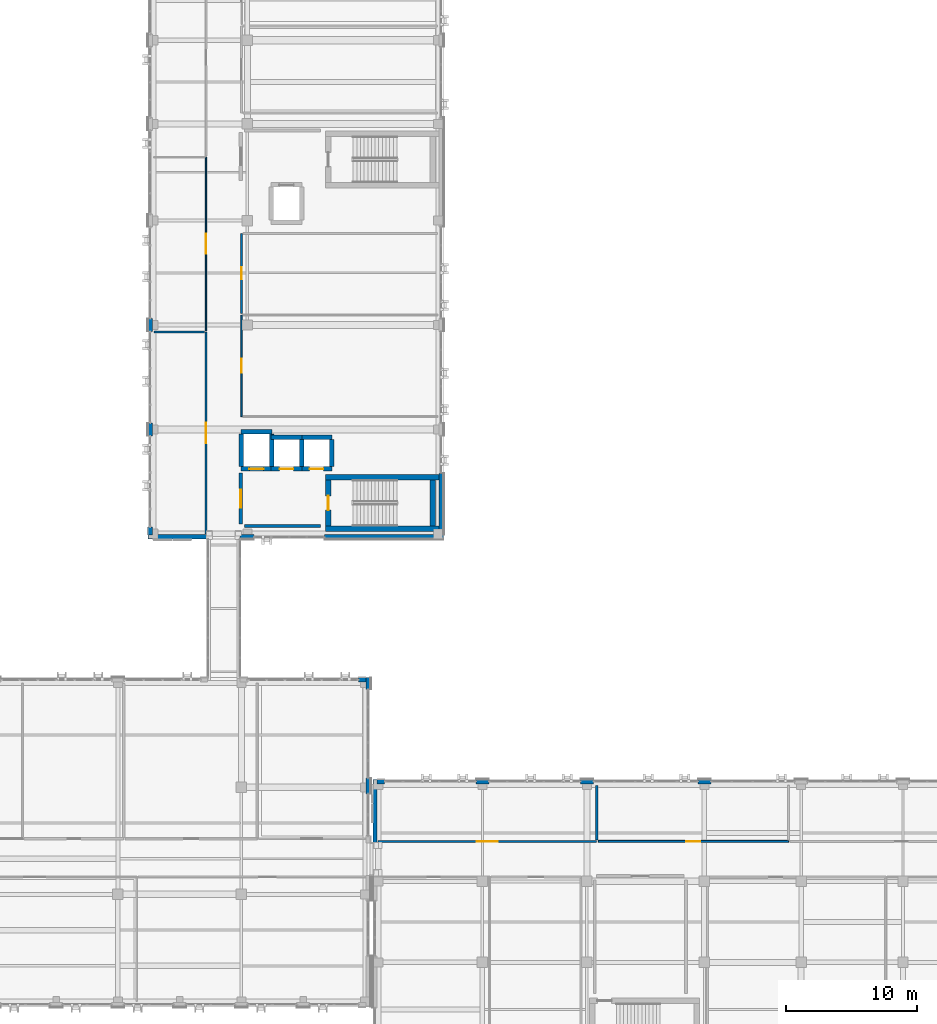
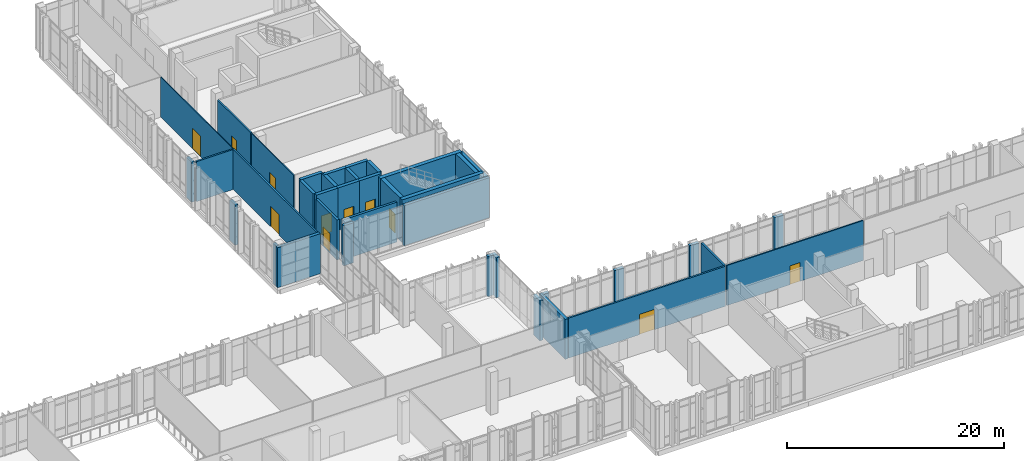
# One storey, part 154 of 189: 39 walls, 11 doors, 11 openings.
"""IFC4 building model written with IfcOpenShell, lengths in metres."""

from ifc_helpers import new_model, si_unit, direction, frame, frame_2d, origin, place, context, subcontext, project, spatial, rectangle, extrude, material, layer, layer_set, type_object, element, fill, save


model = new_model("IFC4")

# Units and contexts
model_context = context("Model", 3, precision=1e-05, world=origin(), true_north=direction((0.0, 1.0)))
body_context = subcontext(model_context, "Body", "Model", "MODEL_VIEW")
ifc_project = project(units=[si_unit("LENGTHUNIT", "METRE"), si_unit("AREAUNIT", "SQUARE_METRE"), si_unit("VOLUMEUNIT", "CUBIC_METRE"), si_unit("PLANEANGLEUNIT", "RADIAN"), si_unit("MASSUNIT", "GRAM", prefix="KILO")], contexts=[model_context])

# Site, building, storey
site_placement = place(None, origin())
site = spatial("IfcSite", under=ifc_project, at=site_placement, CompositionType="ELEMENT")
building_placement = place(site_placement, origin())
building = spatial("IfcBuilding", under=site, at=building_placement, Name="Qalavern Law Courts", CompositionType="ELEMENT")
storey_placement = place(building_placement, frame((0.0, 0.0, 5.39990234375)))
storey = spatial("IfcBuildingStorey", under=building, at=storey_placement, Name="L01", CompositionType="ELEMENT", Elevation=5.39990234375)

# Walls
ifc_material_1 = material(Name="Concrete C40/50", Category="concrete")
ifc_layer_1 = layer(ifc_material_1, 0.324951171875)
ifc_layer_set_1 = layer_set([ifc_layer_1], Name="Concrete C40/50")
wall_type_1 = type_object("IfcWallType", Name="ENV-EW-325", PredefinedType="SOLIDWALL", material=ifc_layer_set_1)
wall_1_placement = place(storey_placement, frame((101.03759765625, 21.5, 0.0), z_axis=(0.0, 0.0, 1.0), x_axis=(0.0, 1.0, 0.0)))
element("IfcWall", 1, at=wall_1_placement, inside=storey, type_object=wall_type_1, Name="V2 exterior pier wall L01 east 2", PredefinedType="SOLIDWALL", context=body_context, shape_type="SweptSolid", body=[
    extrude(rectangle(XDim=1.199951171875, YDim=0.324951171875, at=frame_2d((0.60009765625, 0.0))), origin(), (0.0, 0.0, 1.0), 4.510009765625),
])
wall_2_placement = place(storey_placement, frame((101.03759765625, 29.5, 0.0), z_axis=(0.0, 0.0, 1.0), x_axis=(0.0, 1.0, 0.0)))
element("IfcWall", 2, at=wall_2_placement, inside=storey, type_object=wall_type_1, Name="V2 exterior pier wall L01 east 3", PredefinedType="SOLIDWALL", context=body_context, shape_type="SweptSolid", body=[
    extrude(rectangle(XDim=0.89990234375, YDim=0.324951171875, at=frame_2d((0.449951171875, 0.0))), origin(), (0.0, 0.0, 1.0), 4.510009765625),
])
wall_3_placement = place(storey_placement, frame((100.8798828125, 30.237548828125, 0.0), z_axis=(0.0, 0.0, 1.0), x_axis=(-1.0, 0.0, 0.0)))
element("IfcWall", 3, at=wall_3_placement, inside=storey, type_object=wall_type_1, Name="V2 exterior pier wall L01 north 1", PredefinedType="SOLIDWALL", context=body_context, shape_type="SweptSolid", body=[
    extrude(rectangle(XDim=0.579833984375, YDim=0.324951171875, at=frame_2d((0.2900390625, 0.0))), origin(), (0.0, 0.0, 1.0), 4.510009765625),
])
wall_4_placement = place(storey_placement, frame((84.199951171875, 41.1826171875, 0.0), z_axis=(0.0, 0.0, 1.0), x_axis=(1.0, 0.0, 0.0)))
element("IfcWall", 4, at=wall_4_placement, inside=storey, type_object=wall_type_1, Name="V4 exterior wall L01 south 1", PredefinedType="SOLIDWALL", context=body_context, shape_type="SweptSolid", body=[
    extrude(rectangle(XDim=4.550048828125, YDim=0.324951171875, at=frame_2d((2.27490234375, 0.0))), origin(), (0.0, 0.0, 1.0), 4.510009765625),
])
wall_5_placement = place(storey_placement, frame((91.25, 41.1826171875, 0.0), z_axis=(0.0, 0.0, 1.0), x_axis=(1.0, 0.0, 0.0)))
element("IfcWall", 5, at=wall_5_placement, inside=storey, type_object=wall_type_1, Name="V4 exterior pier wall L01 south 1", PredefinedType="SOLIDWALL", context=body_context, shape_type="SweptSolid", body=[
    extrude(rectangle(XDim=1.050048828125, YDim=0.324951171875, at=frame_2d((0.52490234375, 0.0))), origin(), (0.0, 0.0, 1.0), 4.510009765625),
])
wall_6_placement = place(storey_placement, frame((97.699951171875, 41.1826171875, 0.0), z_axis=(0.0, 0.0, 1.0), x_axis=(1.0, 0.0, 0.0)))
element("IfcWall", 6, at=wall_6_placement, inside=storey, type_object=wall_type_1, Name="V4 exterior pier wall L01 south 2", PredefinedType="SOLIDWALL", context=body_context, shape_type="SweptSolid", body=[
    extrude(rectangle(XDim=9.10009765625, YDim=0.324951171875, at=frame_2d((4.550048828125, 0.0))), origin(), (0.0, 0.0, 1.0), 4.510009765625),
])
wall_7_placement = place(storey_placement, frame((106.637451171875, 41.340087890625, 0.0), z_axis=(0.0, 0.0, 1.0), x_axis=(0.0, 1.0, 0.0)))
element("IfcWall", 7, at=wall_7_placement, inside=storey, type_object=wall_type_1, Name="V4 exterior pier wall L01 east 1", PredefinedType="SOLIDWALL", context=body_context, shape_type="SweptSolid", body=[
    extrude(rectangle(XDim=4.7099609375, YDim=0.324951171875, at=frame_2d((2.35498046875, 0.0))), origin(), (0.0, 0.0, 1.0), 4.510009765625),
])
for number, where, z_axis, x_axis, name in (
    (8, (84.362548828125, 57.89990234375, 0.0), (0.0, 0.0, 1.0), (0.0, -1.0, 0.0), "V4 exterior pier wall L01 west 5"),
    (9, (84.362548828125, 49.89990234375, 0.0), (0.0, 0.0, 1.0), (0.0, -1.0, 0.0), "V4 exterior pier wall L01 west 6"),
):
    element("IfcWall", number, at=place(storey_placement, frame(where, z_axis=z_axis, x_axis=x_axis)), inside=storey, type_object=wall_type_1, Name=name, PredefinedType="SOLIDWALL", context=body_context, shape_type="SweptSolid", body=[
        extrude(rectangle(XDim=1.0, YDim=0.324951171875, at=frame_2d((0.5, 0.0))), origin(), (0.0, 0.0, 1.0), 4.510009765625),
    ])
wall_8_placement = place(storey_placement, frame((84.362548828125, 41.919921875, 0.0), z_axis=(0.0, 0.0, 1.0), x_axis=(0.0, -1.0, 0.0)))
element("IfcWall", 10, at=wall_8_placement, inside=storey, type_object=wall_type_1, Name="V4 exterior pier wall L01 west 7", PredefinedType="SOLIDWALL", context=body_context, shape_type="SweptSolid", body=[
    extrude(rectangle(XDim=0.579833984375, YDim=0.324951171875, at=frame_2d((0.2900390625, 0.0))), origin(), (0.0, 0.0, 1.0), 4.510009765625),
])
for number, where, z_axis, x_axis, name in (
    (11, (127.300048828125, 22.4375, 0.0), (0.0, 0.0, 1.0), (-1.0, 0.0, 0.0), "V6 exterior pier wall L01 north 6"),
    (12, (118.300048828125, 22.4375, 0.0), (0.0, 0.0, 1.0), (-1.0, 0.0, 0.0), "V6 exterior pier wall L01 north 7"),
    (13, (110.300048828125, 22.4375, 0.0), (0.0, 0.0, 1.0), (-1.0, 0.0, 0.0), "V6 exterior pier wall L01 north 8"),
):
    element("IfcWall", number, at=place(storey_placement, frame(where, z_axis=z_axis, x_axis=x_axis)), inside=storey, type_object=wall_type_1, Name=name, PredefinedType="SOLIDWALL", context=body_context, shape_type="SweptSolid", body=[
        extrude(rectangle(XDim=1.0, YDim=0.324951171875, at=frame_2d((0.5, 0.0))), origin(), (0.0, 0.0, 1.0), 4.510009765625),
    ])
wall_9_placement = place(storey_placement, frame((102.320068359375, 22.4375, 0.0), z_axis=(0.0, 0.0, 1.0), x_axis=(-1.0, 0.0, 0.0)))
element("IfcWall", 14, at=wall_9_placement, inside=storey, type_object=wall_type_1, Name="V6 exterior pier wall L01 north 9", PredefinedType="SOLIDWALL", context=body_context, shape_type="SweptSolid", body=[
    extrude(rectangle(XDim=0.580078125, YDim=0.324951171875, at=frame_2d((0.2900390625, 0.0))), origin(), (0.0, 0.0, 1.0), 4.510009765625),
])
wall_10_placement = place(storey_placement, frame((101.58251953125, 22.60009765625, 0.0), z_axis=(0.0, 0.0, 1.0), x_axis=(0.0, -1.0, 0.0)))
element("IfcWall", 15, at=wall_10_placement, inside=storey, type_object=wall_type_1, Name="V6 exterior wall L01 west 1", PredefinedType="SOLIDWALL", context=body_context, shape_type="SweptSolid", body=[
    extrude(rectangle(XDim=4.85009765625, YDim=0.324951171875, at=frame_2d((2.425048828125, 0.0))), origin(), (0.0, 0.0, 1.0), 4.510009765625),
])
ifc_material_2 = material(Name="Concrete C45/55", Category="concrete")
ifc_layer_2 = layer(ifc_material_2, 0.4150390625)
ifc_layer_set_2 = layer_set([ifc_layer_2], Name="Concrete C45/55")
wall_type_2 = type_object("IfcWallType", Name="INT-CW-415", PredefinedType="SHEAR", material=ifc_layer_set_2)
wall_11_placement = place(storey_placement, frame((97.784912109375, 41.79248046875, 0.0), z_axis=(0.0, 0.0, 1.0), x_axis=(1.0, 0.0, 0.0)))
element("IfcWall", 16, at=wall_11_placement, inside=storey, type_object=wall_type_2, Name="Core K1A stair shear wall L01 south", PredefinedType="SHEAR", context=body_context, shape_type="SweptSolid", body=[
    extrude(rectangle(XDim=8.68701171875, YDim=0.4150390625, at=frame_2d((4.343505859375, 0.0))), origin(), (0.0, 0.0, 1.0), 4.800048828125),
])
wall_12_placement = place(storey_placement, frame((106.007568359375, 42.0, 0.0), z_axis=(0.0, 0.0, 1.0), x_axis=(0.0, 1.0, 0.0)))
element("IfcWall", 17, at=wall_12_placement, inside=storey, type_object=wall_type_2, Name="Core K1A stair shear wall L01 east", PredefinedType="SHEAR", context=body_context, shape_type="SweptSolid", body=[
    extrude(rectangle(XDim=3.550048828125, YDim=0.4150390625, at=frame_2d((1.77490234375, 0.0))), origin(), (0.0, 0.0, 1.0), 4.800048828125),
])
wall_13_placement = place(storey_placement, frame((106.471923828125, 45.757568359375, 0.0), z_axis=(0.0, 0.0, 1.0), x_axis=(-1.0, 0.0, 0.0)))
element("IfcWall", 18, at=wall_13_placement, inside=storey, type_object=wall_type_2, Name="Core K1A stair shear wall L01 north", PredefinedType="SHEAR", context=body_context, shape_type="SweptSolid", body=[
    extrude(rectangle(XDim=8.68701171875, YDim=0.4150390625, at=frame_2d((4.343505859375, 0.0))), origin(), (0.0, 0.0, 1.0), 4.800048828125),
])

# Wall, opening, door
wall_14_placement = place(storey_placement, frame((97.992431640625, 45.550048828125, 0.0), z_axis=(0.0, 0.0, 1.0), x_axis=(0.0, -1.0, 0.0)))
wall_14 = element("IfcWall", 19, at=wall_14_placement, inside=storey, type_object=wall_type_2, Name="Core K1A stair shear wall L01 west", PredefinedType="SHEAR", context=body_context, shape_type="SweptSolid", body=[
    extrude(rectangle(XDim=3.550048828125, YDim=0.4150390625, at=frame_2d((1.77490234375, 0.0))), origin(), (0.0, 0.0, 1.0), 4.800048828125),
])
opening_1_placement = place(wall_14_placement, frame((1.22509765625, 0.0, 0.0)))
opening_1 = element("IfcOpeningElement", 20, at=opening_1_placement, cuts=wall_14, Name="Opening L01-D007", PredefinedType="OPENING", context=body_context, shape_type="SweptSolid", body=[
    extrude(rectangle(XDim=1.10009765625, YDim=2.14990234375, at=frame_2d((0.550048828125, 1.074951171875))), frame((0.0, 0.222412109375, 0.0), z_axis=(0.0, -1.0, 0.0), x_axis=(1.0, 0.0, 0.0)), (0.0, 0.0, 1.0), 0.44482421875),
])
ifc_material_3 = material(Name="Steel fire-rated stair enclosure door", Category="steel")
door_type_1 = type_object("IfcDoorType", Name="INT-FD-1100x2150", OperationType="NOTDEFINED", PredefinedType="DOOR", material=ifc_material_3)
door_1_placement = place(opening_1_placement, frame((1.10009765625, 0.0, 0.0), z_axis=(0.0, 0.0, 1.0), x_axis=(-1.0, 0.0, 0.0)))
door_1 = element("IfcDoor", 21, at=door_1_placement, inside=storey, type_object=door_type_1, Name="Stair K1A fire door L01", OperationType="SINGLE_SWING_RIGHT", OverallHeight=2.14990234375, OverallWidth=1.10009765625, PredefinedType="DOOR", context=body_context, shape_type="SweptSolid", body=[
    extrude(rectangle(XDim=1.10009765625, YDim=2.14990234375, at=frame_2d((0.550048828125, 1.074951171875))), frame((0.0, 0.02490234375, 0.0), z_axis=(0.0, -1.0, 0.0), x_axis=(1.0, 0.0, 0.0)), (0.0, 0.0, 1.0), 0.050048828125),
])
fill(opening_1, door_1)

ifc_layer_3 = layer(ifc_material_1, 0.2451171875)
ifc_layer_set_3 = layer_set([ifc_layer_3], Name="Concrete C40/50")
wall_type_3 = type_object("IfcWallType", Name="INT-FW-245", PredefinedType="PARTITIONING", material=ifc_layer_set_3)
wall_15_placement = place(storey_placement, frame((91.300048828125, 42.14990234375, 0.0), z_axis=(0.0, 0.0, 1.0), x_axis=(0.0, 1.0, 0.0)))
wall_15 = element("IfcWall", 22, at=wall_15_placement, inside=storey, type_object=wall_type_3, Name="Core K1A firefighting/stair lobby fire wall L01", PredefinedType="PARTITIONING", context=body_context, shape_type="SweptSolid", body=[
    extrude(rectangle(XDim=3.900146484375, YDim=0.2451171875, at=frame_2d((1.9501953125, 0.0))), origin(), (0.0, 0.0, 1.0), 4.510009765625),
])
opening_2_placement = place(wall_15_placement, frame((1.27490234375, 0.0, 0.0)))
opening_2 = element("IfcOpeningElement", 23, at=opening_2_placement, cuts=wall_15, Name="Opening L01-D008", PredefinedType="OPENING", context=body_context, shape_type="SweptSolid", body=[
    extrude(rectangle(XDim=1.35009765625, YDim=2.199951171875, at=frame_2d((0.675048828125, 1.10009765625))), frame((0.0, 0.137451171875, 0.0), z_axis=(0.0, -1.0, 0.0), x_axis=(1.0, 0.0, 0.0)), (0.0, 0.0, 1.0), 0.27490234375),
])
ifc_material_4 = material(Name="Steel fire-rated frame and acoustic timber leaves", Category="steel")
door_type_2 = type_object("IfcDoorType", Name="INT-FD-1350x2200", OperationType="DOUBLE_DOOR_SINGLE_SWING", PredefinedType="DOOR", material=ifc_material_4)
door_2_placement = place(opening_2_placement, origin())
door_2 = element("IfcDoor", 24, at=door_2_placement, inside=storey, type_object=door_type_2, Name="Core K1A lobby fire door L01", OperationType="DOUBLE_DOOR_SINGLE_SWING", OverallHeight=2.199951171875, OverallWidth=1.35009765625, PredefinedType="DOOR", context=body_context, shape_type="SweptSolid", body=[
    extrude(rectangle(XDim=1.35009765625, YDim=2.199951171875, at=frame_2d((0.675048828125, 1.10009765625))), frame((0.0, 0.02490234375, 0.0), z_axis=(0.0, -1.0, 0.0), x_axis=(1.0, 0.0, 0.0)), (0.0, 0.0, 1.0), 0.050048828125),
])
fill(opening_2, door_2)

# Wall
wall_16_placement = place(storey_placement, frame((91.60009765625, 42.0, 0.0), z_axis=(0.0, 0.0, 1.0), x_axis=(1.0, 0.0, 0.0)))
element("IfcWall", 25, at=wall_16_placement, inside=storey, type_object=wall_type_3, Name="Core K1A lobby return wall L01 south", PredefinedType="PARTITIONING", context=body_context, shape_type="SweptSolid", body=[
    extrude(rectangle(XDim=5.7998046875, YDim=0.2451171875, at=frame_2d((2.89990234375, 0.0))), origin(), (0.0, 0.0, 1.0), 4.510009765625),
])

# Wall, opening, door
ifc_material_5 = material(Name="Gypsum shaft/chase partition")
ifc_layer_4 = layer(ifc_material_5, 0.092041015625)
ifc_layer_set_4 = layer_set([ifc_layer_4], Name="Gypsum shaft/chase partition")
wall_type_4 = type_object("IfcWallType", Name="INT-PW-092", PredefinedType="PARTITIONING", material=ifc_layer_set_4)
wall_17_placement = place(storey_placement, frame((88.639892578125, 56.97802734375, 0.0), z_axis=(0.0, 0.0, 1.0), x_axis=(0.0, 1.0, 0.0)))
wall_17 = element("IfcWall", 26, at=wall_17_placement, inside=storey, type_object=wall_type_4, Name="Commercial Courtroom corridor partition L01", PredefinedType="PARTITIONING", context=body_context, shape_type="SweptSolid", body=[
    extrude(rectangle(XDim=13.27587890625, YDim=0.092041015625, at=frame_2d((6.637939453125, 0.0))), origin(), (0.0, 0.0, 1.0), 4.510009765625),
])
opening_3_placement = place(wall_17_placement, frame((5.863037109375, 0.0, 0.0)))
opening_3 = element("IfcOpeningElement", 27, at=opening_3_placement, cuts=wall_17, Name="Opening L01-D263", PredefinedType="OPENING", context=body_context, shape_type="SweptSolid", body=[
    extrude(rectangle(XDim=1.550048828125, YDim=2.280029296875, at=frame_2d((0.77490234375, 1.14013671875))), frame((0.0, 0.06103515625, 0.0), z_axis=(0.0, -1.0, 0.0), x_axis=(1.0, 0.0, 0.0)), (0.0, 0.0, 1.0), 0.121826171875),
])
ifc_material_6 = material(Name="Acoustic oak double Civil Courtroom door")
door_type_3 = type_object("IfcDoorType", Name="INT-ID-1550x2280", OperationType="DOUBLE_DOOR_SINGLE_SWING", PredefinedType="DOOR", material=ifc_material_6)
door_3_placement = place(opening_3_placement, frame((1.550048828125, 0.0, 0.0), z_axis=(0.0, 0.0, 1.0), x_axis=(-1.0, 0.0, 0.0)))
door_3 = element("IfcDoor", 28, at=door_3_placement, inside=storey, type_object=door_type_3, Name="Commercial Courtroom door L01", OperationType="DOUBLE_DOOR_SINGLE_SWING", OverallHeight=2.280029296875, OverallWidth=1.550048828125, PredefinedType="DOOR", context=body_context, shape_type="SweptSolid", body=[
    extrude(rectangle(XDim=1.550048828125, YDim=2.280029296875, at=frame_2d((0.77490234375, 1.14013671875))), frame((0.0, 0.02490234375, 0.0), z_axis=(0.0, -1.0, 0.0), x_axis=(1.0, 0.0, 0.0)), (0.0, 0.0, 1.0), 0.050048828125),
])
fill(opening_3, door_3)

ifc_material_7 = material(Name="Gypsum sanitary partition")
ifc_layer_5 = layer(ifc_material_7, 0.10205078125)
ifc_layer_set_5 = layer_set([ifc_layer_5], Name="Gypsum sanitary partition")
wall_type_5 = type_object("IfcWallType", Name="INT-PW-102", PredefinedType="PARTITIONING", material=ifc_layer_set_5)
wall_18_placement = place(storey_placement, frame((91.360107421875, 50.389892578125, 0.0), z_axis=(0.0, 0.0, 1.0), x_axis=(0.0, 1.0, 0.0)))
wall_18 = element("IfcWall", 29, at=wall_18_placement, inside=storey, type_object=wall_type_5, Name="Counsel Consultation Room corridor partition L01", PredefinedType="PARTITIONING", context=body_context, shape_type="SweptSolid", body=[
    extrude(rectangle(XDim=7.775146484375, YDim=0.10205078125, at=frame_2d((3.8876953125, 0.0))), origin(), (0.0, 0.0, 1.0), 4.510009765625),
])
opening_4_placement = place(wall_18_placement, frame((3.342529296875, 0.0, 0.0)))
opening_4 = element("IfcOpeningElement", 30, at=opening_4_placement, cuts=wall_18, Name="Opening L01-D265", PredefinedType="OPENING", context=body_context, shape_type="SweptSolid", body=[
    extrude(rectangle(XDim=1.090087890625, YDim=2.1298828125, at=frame_2d((0.544921875, 1.06494140625))), frame((0.0, 0.06591796875, 0.0), z_axis=(0.0, -1.0, 0.0), x_axis=(1.0, 0.0, 0.0)), (0.0, 0.0, 1.0), 0.1318359375),
])
ifc_material_8 = material(Name="Solid oak Senior Judges' Chambers door")
door_type_4 = type_object("IfcDoorType", Name="INT-ID-1090x2130", OperationType="NOTDEFINED", PredefinedType="DOOR", material=ifc_material_8)
door_4_placement = place(opening_4_placement, origin())
door_4 = element("IfcDoor", 31, at=door_4_placement, inside=storey, type_object=door_type_4, Name="Counsel Consultation Room door L01", OperationType="SINGLE_SWING_RIGHT", OverallHeight=2.1298828125, OverallWidth=1.090087890625, PredefinedType="DOOR", context=body_context, shape_type="SweptSolid", body=[
    extrude(rectangle(XDim=1.090087890625, YDim=2.1298828125, at=frame_2d((0.544921875, 1.06494140625))), frame((0.0, 0.02490234375, 0.0), z_axis=(0.0, -1.0, 0.0), x_axis=(1.0, 0.0, 0.0)), (0.0, 0.0, 1.0), 0.050048828125),
])
fill(opening_4, door_4)

ifc_material_9 = material(Name="Gypsum stud partition")
ifc_layer_6 = layer(ifc_material_9, 0.14208984375)
ifc_layer_set_6 = layer_set([ifc_layer_6], Name="Gypsum stud partition")
wall_type_6 = type_object("IfcWallType", Name="INT-PW-142", PredefinedType="PARTITIONING", material=ifc_layer_set_6)
wall_19_placement = place(storey_placement, frame((118.669921875, 17.860107421875, 0.0), z_axis=(0.0, 0.0, 1.0), x_axis=(1.0, 0.0, 0.0)))
wall_19 = element("IfcWall", 32, at=wall_19_placement, inside=storey, type_object=wall_type_6, Name="Witness Waiting Room corridor partition L01", PredefinedType="PARTITIONING", context=body_context, shape_type="SweptSolid", body=[
    extrude(rectangle(XDim=14.568115234375, YDim=0.14208984375, at=frame_2d((7.2841796875, 0.0))), origin(), (0.0, 0.0, 1.0), 4.510009765625),
])
opening_5_placement = place(wall_19_placement, frame((6.75390625, 0.0, 0.0)))
opening_5 = element("IfcOpeningElement", 33, at=opening_5_placement, cuts=wall_19, Name="Opening L01-D428", PredefinedType="OPENING", context=body_context, shape_type="SweptSolid", body=[
    extrude(rectangle(XDim=1.06005859375, YDim=2.1201171875, at=frame_2d((0.530029296875, 1.06005859375))), frame((0.0, 0.0859375, 0.0), z_axis=(0.0, -1.0, 0.0), x_axis=(1.0, 0.0, 0.0)), (0.0, 0.0, 1.0), 0.171875),
])
ifc_material_10 = material(Name="Solid oak Trial Judges' Chambers door")
door_type_5 = type_object("IfcDoorType", Name="INT-ID-1060x2120", OperationType="NOTDEFINED", PredefinedType="DOOR", material=ifc_material_10)
door_5_placement = place(opening_5_placement, origin())
door_5 = element("IfcDoor", 34, at=door_5_placement, inside=storey, type_object=door_type_5, Name="Witness Waiting Room door L01", OperationType="SINGLE_SWING_LEFT", OverallHeight=2.1201171875, OverallWidth=1.06005859375, PredefinedType="DOOR", context=body_context, shape_type="SweptSolid", body=[
    extrude(rectangle(XDim=1.06005859375, YDim=2.1201171875, at=frame_2d((0.530029296875, 1.06005859375))), frame((0.0, 0.02490234375, 0.0), z_axis=(0.0, -1.0, 0.0), x_axis=(1.0, 0.0, 0.0)), (0.0, 0.0, 1.0), 0.050048828125),
])
fill(opening_5, door_5)

ifc_layer_7 = layer(ifc_material_9, 0.162109375)
ifc_layer_set_7 = layer_set([ifc_layer_7], Name="Gypsum stud partition")
wall_type_7 = type_object("IfcWallType", Name="INT-PW-162", PredefinedType="PARTITIONING", material=ifc_layer_set_7)
wall_20_placement = place(storey_placement, frame((91.360107421875, 58.284912109375, 0.0), z_axis=(0.0, 0.0, 1.0), x_axis=(0.0, 1.0, 0.0)))
wall_20 = element("IfcWall", 35, at=wall_20_placement, inside=storey, type_object=wall_type_7, Name="Public WC corridor partition L01", PredefinedType="PARTITIONING", context=body_context, shape_type="SweptSolid", body=[
    extrude(rectangle(XDim=6.125, YDim=0.162109375, at=frame_2d((3.0625, 0.0))), origin(), (0.0, 0.0, 1.0), 4.510009765625),
])
opening_6_placement = place(wall_20_placement, frame((2.6025390625, 0.0, 0.0)))
opening_6 = element("IfcOpeningElement", 36, at=opening_6_placement, cuts=wall_20, Name="Opening L01-D266", PredefinedType="OPENING", context=body_context, shape_type="SweptSolid", body=[
    extrude(rectangle(XDim=0.919921875, YDim=2.06005859375, at=frame_2d((0.4599609375, 1.030029296875))), frame((0.0, 0.095947265625, 0.0), z_axis=(0.0, -1.0, 0.0), x_axis=(1.0, 0.0, 0.0)), (0.0, 0.0, 1.0), 0.19189453125),
])
ifc_material_11 = material(Name="Public and Staff WC door")
door_type_6 = type_object("IfcDoorType", Name="INT-ID-920x2060", OperationType="NOTDEFINED", PredefinedType="DOOR", material=ifc_material_11)
door_6_placement = place(opening_6_placement, origin())
door_6 = element("IfcDoor", 37, at=door_6_placement, inside=storey, type_object=door_type_6, Name="Public WC door L01", OperationType="SINGLE_SWING_LEFT", OverallHeight=2.06005859375, OverallWidth=0.919921875, PredefinedType="DOOR", context=body_context, shape_type="SweptSolid", body=[
    extrude(rectangle(XDim=0.919921875, YDim=2.06005859375, at=frame_2d((0.4599609375, 1.030029296875))), frame((0.0, 0.02490234375, 0.0), z_axis=(0.0, -1.0, 0.0), x_axis=(1.0, 0.0, 0.0)), (0.0, 0.0, 1.0), 0.050048828125),
])
fill(opening_6, door_6)

ifc_material_12 = material(Name="Gypsum acoustic stud partition")
ifc_layer_8 = layer(ifc_material_12, 0.174072265625)
ifc_layer_set_8 = layer_set([ifc_layer_8], Name="Gypsum acoustic stud partition")
wall_type_8 = type_object("IfcWallType", Name="INT-PW-174", PredefinedType="PARTITIONING", material=ifc_layer_set_8)
wall_21_placement = place(storey_placement, frame((88.639892578125, 41.39990234375, 0.0), z_axis=(0.0, 0.0, 1.0), x_axis=(0.0, 1.0, 0.0)))
wall_21 = element("IfcWall", 38, at=wall_21_placement, inside=storey, type_object=wall_type_8, Name="Civil Courtroom corridor partition L01", PredefinedType="PARTITIONING", context=body_context, shape_type="SweptSolid", body=[
    extrude(rectangle(XDim=15.4580078125, YDim=0.174072265625, at=frame_2d((7.72900390625, 0.0))), origin(), (0.0, 0.0, 1.0), 4.510009765625),
])
opening_7_placement = place(wall_21_placement, frame((6.928955078125, 0.0, 0.0)))
opening_7 = element("IfcOpeningElement", 39, at=opening_7_placement, cuts=wall_21, Name="Opening L01-D262", PredefinedType="OPENING", context=body_context, shape_type="SweptSolid", body=[
    extrude(rectangle(XDim=1.60009765625, YDim=2.300048828125, at=frame_2d((0.800048828125, 1.14990234375))), frame((0.0, 0.10205078125, 0.0), z_axis=(0.0, -1.0, 0.0), x_axis=(1.0, 0.0, 0.0)), (0.0, 0.0, 1.0), 0.203857421875),
])
ifc_material_13 = material(Name="Acoustic oak double Criminal Courtroom door")
door_type_7 = type_object("IfcDoorType", Name="INT-ID-1600x2300", OperationType="DOUBLE_DOOR_SINGLE_SWING", PredefinedType="DOOR", material=ifc_material_13)
door_7_placement = place(opening_7_placement, frame((1.60009765625, 0.0, 0.0), z_axis=(0.0, 0.0, 1.0), x_axis=(-1.0, 0.0, 0.0)))
door_7 = element("IfcDoor", 40, at=door_7_placement, inside=storey, type_object=door_type_7, Name="Civil Courtroom door L01", OperationType="DOUBLE_DOOR_SINGLE_SWING", OverallHeight=2.300048828125, OverallWidth=1.60009765625, PredefinedType="DOOR", context=body_context, shape_type="SweptSolid", body=[
    extrude(rectangle(XDim=1.60009765625, YDim=2.300048828125, at=frame_2d((0.800048828125, 1.14990234375))), frame((0.0, 0.02490234375, 0.0), z_axis=(0.0, -1.0, 0.0), x_axis=(1.0, 0.0, 0.0)), (0.0, 0.0, 1.0), 0.050048828125),
])
fill(opening_7, door_7)

# Wall
wall_22_placement = place(storey_placement, frame((84.639892578125, 56.85791015625, 0.0), z_axis=(0.0, 0.0, 1.0), x_axis=(1.0, 0.0, 0.0)))
element("IfcWall", 41, at=wall_22_placement, inside=storey, type_object=wall_type_8, Name="Civil Courtroom cross partition L01 north", PredefinedType="PARTITIONING", context=body_context, shape_type="SweptSolid", body=[
    extrude(rectangle(XDim=3.89306640625, YDim=0.174072265625, at=frame_2d((1.946533203125, 0.0))), origin(), (0.0, 0.0, 1.0), 4.510009765625),
])

# Wall, opening, door
wall_23_placement = place(storey_placement, frame((101.800048828125, 17.860107421875, 0.0), z_axis=(0.0, 0.0, 1.0), x_axis=(1.0, 0.0, 0.0)))
wall_23 = element("IfcWall", 42, at=wall_23_placement, inside=storey, type_object=wall_type_8, Name="Arbitration Hearing Courtroom corridor partition L01", PredefinedType="PARTITIONING", context=body_context, shape_type="SweptSolid", body=[
    extrude(rectangle(XDim=16.75, YDim=0.174072265625, at=frame_2d((8.375, 0.0))), origin(), (0.0, 0.0, 1.0), 4.510009765625),
])
opening_8_placement = place(wall_23_placement, frame((7.574951171875, 0.0, 0.0)))
opening_8 = element("IfcOpeningElement", 43, at=opening_8_placement, cuts=wall_23, Name="Opening L01-D427", PredefinedType="OPENING", context=body_context, shape_type="SweptSolid", body=[
    extrude(rectangle(XDim=1.60009765625, YDim=2.300048828125, at=frame_2d((0.800048828125, 1.14990234375))), frame((0.0, 0.10205078125, 0.0), z_axis=(0.0, -1.0, 0.0), x_axis=(1.0, 0.0, 0.0)), (0.0, 0.0, 1.0), 0.203857421875),
])
door_8_placement = place(opening_8_placement, origin())
door_8 = element("IfcDoor", 44, at=door_8_placement, inside=storey, type_object=door_type_7, Name="Arbitration Hearing Courtroom door L01", OperationType="DOUBLE_DOOR_SINGLE_SWING", OverallHeight=2.300048828125, OverallWidth=1.60009765625, PredefinedType="DOOR", context=body_context, shape_type="SweptSolid", body=[
    extrude(rectangle(XDim=1.60009765625, YDim=2.300048828125, at=frame_2d((0.800048828125, 1.14990234375))), frame((0.0, 0.02490234375, 0.0), z_axis=(0.0, -1.0, 0.0), x_axis=(1.0, 0.0, 0.0)), (0.0, 0.0, 1.0), 0.050048828125),
])
fill(opening_8, door_8)

# Wall
wall_24_placement = place(storey_placement, frame((118.550048828125, 17.967041015625, 0.0), z_axis=(0.0, 0.0, 1.0), x_axis=(0.0, 1.0, 0.0)))
element("IfcWall", 45, at=wall_24_placement, inside=storey, type_object=wall_type_8, Name="Arbitration Hearing Courtroom cross partition L01 east", PredefinedType="PARTITIONING", context=body_context, shape_type="SweptSolid", body=[
    extrude(rectangle(XDim=4.19287109375, YDim=0.174072265625, at=frame_2d((2.096435546875, 0.0))), origin(), (0.0, 0.0, 1.0), 4.510009765625),
])

# Wall, opening, door
ifc_layer_9 = layer(ifc_material_2, 0.344970703125)
ifc_layer_set_9 = layer_set([ifc_layer_9], Name="Concrete C45/55")
wall_type_9 = type_object("IfcWallType", Name="INT-SW-345", PredefinedType="SHEAR", material=ifc_layer_set_9)
wall_25_placement = place(storey_placement, frame((91.327392578125, 46.37744140625, 0.0), z_axis=(0.0, 0.0, 1.0), x_axis=(1.0, 0.0, 0.0)))
wall_25 = element("IfcWall", 46, at=wall_25_placement, inside=storey, type_object=wall_type_9, Name="Lift LF-FF1 shaft wall L01 south", PredefinedType="SHEAR", context=body_context, shape_type="SweptSolid", body=[
    extrude(rectangle(XDim=2.34521484375, YDim=0.344970703125, at=frame_2d((1.172607421875, 0.0))), origin(), (0.0, 0.0, 1.0), 4.800048828125),
])
opening_9_placement = place(wall_25_placement, frame((0.62255859375, 0.0, 0.0)))
opening_9 = element("IfcOpeningElement", 47, at=opening_9_placement, cuts=wall_25, Name="Opening LD-LF-FF1-L01", PredefinedType="OPENING", context=body_context, shape_type="SweptSolid", body=[
    extrude(rectangle(XDim=1.10009765625, YDim=2.159912109375, at=frame_2d((0.550048828125, 1.080078125))), frame((0.0, 0.1875, 0.0), z_axis=(0.0, -1.0, 0.0), x_axis=(1.0, 0.0, 0.0)), (0.0, 0.0, 1.0), 0.374755859375),
])
ifc_material_14 = material(Name="Stainless steel firefighting lift sliding landing door", Category="steel")
door_type_8 = type_object("IfcDoorType", Name="INT-LD-1100x2160", OperationType="DOUBLE_DOOR_SLIDING", PredefinedType="DOOR", material=ifc_material_14)
door_9_placement = place(opening_9_placement, origin())
door_9 = element("IfcDoor", 48, at=door_9_placement, inside=storey, type_object=door_type_8, Name="Lift LF-FF1 sliding landing door L01", OperationType="DOUBLE_DOOR_SLIDING", OverallHeight=2.159912109375, OverallWidth=1.10009765625, PredefinedType="DOOR", context=body_context, shape_type="SweptSolid", body=[
    extrude(rectangle(XDim=1.10009765625, YDim=2.159912109375, at=frame_2d((0.550048828125, 1.080078125))), frame((0.0, 0.02490234375, 0.0), z_axis=(0.0, -1.0, 0.0), x_axis=(1.0, 0.0, 0.0)), (0.0, 0.0, 1.0), 0.050048828125),
])
fill(opening_9, door_9)

# Walls
wall_26_placement = place(storey_placement, frame((93.672607421875, 46.550048828125, 0.0), z_axis=(0.0, 0.0, 1.0), x_axis=(0.0, 1.0, 0.0)))
element("IfcWall", 49, at=wall_26_placement, inside=storey, type_object=wall_type_9, Name="Lift LF-FF1 shaft wall L01 east", PredefinedType="SHEAR", context=body_context, shape_type="SweptSolid", body=[
    extrude(rectangle(XDim=2.5, YDim=0.344970703125, at=frame_2d((1.25, 0.0))), origin(), (0.0, 0.0, 1.0), 4.800048828125),
])
wall_27_placement = place(storey_placement, frame((93.672607421875, 49.222412109375, 0.0), z_axis=(0.0, 0.0, 1.0), x_axis=(-1.0, 0.0, 0.0)))
element("IfcWall", 50, at=wall_27_placement, inside=storey, type_object=wall_type_9, Name="Lift LF-FF1 shaft wall L01 north", PredefinedType="SHEAR", context=body_context, shape_type="SweptSolid", body=[
    extrude(rectangle(XDim=2.34521484375, YDim=0.344970703125, at=frame_2d((1.172607421875, 0.0))), origin(), (0.0, 0.0, 1.0), 4.800048828125),
])
wall_28_placement = place(storey_placement, frame((91.327392578125, 49.050048828125, 0.0), z_axis=(0.0, 0.0, 1.0), x_axis=(0.0, -1.0, 0.0)))
element("IfcWall", 51, at=wall_28_placement, inside=storey, type_object=wall_type_9, Name="Lift LF-FF1 shaft wall L01 west", PredefinedType="SHEAR", context=body_context, shape_type="SweptSolid", body=[
    extrude(rectangle(XDim=2.5, YDim=0.344970703125, at=frame_2d((1.25, 0.0))), origin(), (0.0, 0.0, 1.0), 4.800048828125),
])

# Wall, opening, door
wall_29_placement = place(storey_placement, frame((93.62744140625, 46.37744140625, 0.0), z_axis=(0.0, 0.0, 1.0), x_axis=(1.0, 0.0, 0.0)))
wall_29 = element("IfcWall", 52, at=wall_29_placement, inside=storey, type_object=wall_type_9, Name="Lift LF-P1 shaft wall L01 south", PredefinedType="SHEAR", context=body_context, shape_type="SweptSolid", body=[
    extrude(rectangle(XDim=2.344970703125, YDim=0.344970703125, at=frame_2d((1.17236328125, 0.0))), origin(), (0.0, 0.0, 1.0), 4.800048828125),
])
opening_10_placement = place(wall_29_placement, frame((0.6474609375, 0.0, 0.0)))
opening_10 = element("IfcOpeningElement", 53, at=opening_10_placement, cuts=wall_29, Name="Opening LD-LF-P1-L01", PredefinedType="OPENING", context=body_context, shape_type="SweptSolid", body=[
    extrude(rectangle(XDim=1.050048828125, YDim=2.14990234375, at=frame_2d((0.52490234375, 1.074951171875))), frame((0.0, 0.1875, 0.0), z_axis=(0.0, -1.0, 0.0), x_axis=(1.0, 0.0, 0.0)), (0.0, 0.0, 1.0), 0.374755859375),
])
ifc_material_15 = material(Name="Brushed stainless steel passenger lift sliding landing door", Category="steel")
door_type_9 = type_object("IfcDoorType", Name="INT-LD-1050x2150", OperationType="DOUBLE_DOOR_SLIDING", PredefinedType="DOOR", material=ifc_material_15)
door_10_placement = place(opening_10_placement, origin())
door_10 = element("IfcDoor", 54, at=door_10_placement, inside=storey, type_object=door_type_9, Name="Lift LF-P1 sliding landing door L01", OperationType="DOUBLE_DOOR_SLIDING", OverallHeight=2.14990234375, OverallWidth=1.050048828125, PredefinedType="DOOR", context=body_context, shape_type="SweptSolid", body=[
    extrude(rectangle(XDim=1.050048828125, YDim=2.14990234375, at=frame_2d((0.52490234375, 1.074951171875))), frame((0.0, 0.02490234375, 0.0), z_axis=(0.0, -1.0, 0.0), x_axis=(1.0, 0.0, 0.0)), (0.0, 0.0, 1.0), 0.050048828125),
])
fill(opening_10, door_10)

# Walls
wall_30_placement = place(storey_placement, frame((95.972412109375, 46.550048828125, 0.0), z_axis=(0.0, 0.0, 1.0), x_axis=(0.0, 1.0, 0.0)))
element("IfcWall", 55, at=wall_30_placement, inside=storey, type_object=wall_type_9, Name="Lift LF-P1 shaft wall L01 east", PredefinedType="SHEAR", context=body_context, shape_type="SweptSolid", body=[
    extrude(rectangle(XDim=2.099853515625, YDim=0.344970703125, at=frame_2d((1.0498046875, 0.0))), origin(), (0.0, 0.0, 1.0), 4.800048828125),
])
wall_31_placement = place(storey_placement, frame((95.972412109375, 48.822509765625, 0.0), z_axis=(0.0, 0.0, 1.0), x_axis=(-1.0, 0.0, 0.0)))
element("IfcWall", 56, at=wall_31_placement, inside=storey, type_object=wall_type_9, Name="Lift LF-P1 shaft wall L01 north", PredefinedType="SHEAR", context=body_context, shape_type="SweptSolid", body=[
    extrude(rectangle(XDim=2.344970703125, YDim=0.344970703125, at=frame_2d((1.17236328125, 0.0))), origin(), (0.0, 0.0, 1.0), 4.800048828125),
])

# Wall, opening, door
wall_32_placement = place(storey_placement, frame((95.927490234375, 46.37744140625, 0.0), z_axis=(0.0, 0.0, 1.0), x_axis=(1.0, 0.0, 0.0)))
wall_32 = element("IfcWall", 57, at=wall_32_placement, inside=storey, type_object=wall_type_9, Name="Lift LF-P2 shaft wall L01 south", PredefinedType="SHEAR", context=body_context, shape_type="SweptSolid", body=[
    extrude(rectangle(XDim=2.344970703125, YDim=0.344970703125, at=frame_2d((1.17236328125, 0.0))), origin(), (0.0, 0.0, 1.0), 4.800048828125),
])
opening_11_placement = place(wall_32_placement, frame((0.6474609375, 0.0, 0.0)))
opening_11 = element("IfcOpeningElement", 58, at=opening_11_placement, cuts=wall_32, Name="Opening LD-LF-P2-L01", PredefinedType="OPENING", context=body_context, shape_type="SweptSolid", body=[
    extrude(rectangle(XDim=1.050048828125, YDim=2.14990234375, at=frame_2d((0.52490234375, 1.074951171875))), frame((0.0, 0.1875, 0.0), z_axis=(0.0, -1.0, 0.0), x_axis=(1.0, 0.0, 0.0)), (0.0, 0.0, 1.0), 0.374755859375),
])
door_11_placement = place(opening_11_placement, origin())
door_11 = element("IfcDoor", 59, at=door_11_placement, inside=storey, type_object=door_type_9, Name="Lift LF-P2 sliding landing door L01", OperationType="DOUBLE_DOOR_SLIDING", OverallHeight=2.14990234375, OverallWidth=1.050048828125, PredefinedType="DOOR", context=body_context, shape_type="SweptSolid", body=[
    extrude(rectangle(XDim=1.050048828125, YDim=2.14990234375, at=frame_2d((0.52490234375, 1.074951171875))), frame((0.0, 0.02490234375, 0.0), z_axis=(0.0, -1.0, 0.0), x_axis=(1.0, 0.0, 0.0)), (0.0, 0.0, 1.0), 0.050048828125),
])
fill(opening_11, door_11)

# Walls
wall_33_placement = place(storey_placement, frame((98.2724609375, 46.550048828125, 0.0), z_axis=(0.0, 0.0, 1.0), x_axis=(0.0, 1.0, 0.0)))
element("IfcWall", 60, at=wall_33_placement, inside=storey, type_object=wall_type_9, Name="Lift LF-P2 shaft wall L01 east", PredefinedType="SHEAR", context=body_context, shape_type="SweptSolid", body=[
    extrude(rectangle(XDim=2.099853515625, YDim=0.344970703125, at=frame_2d((1.0498046875, 0.0))), origin(), (0.0, 0.0, 1.0), 4.800048828125),
])
wall_34_placement = place(storey_placement, frame((98.2724609375, 48.822509765625, 0.0), z_axis=(0.0, 0.0, 1.0), x_axis=(-1.0, 0.0, 0.0)))
element("IfcWall", 61, at=wall_34_placement, inside=storey, type_object=wall_type_9, Name="Lift LF-P2 shaft wall L01 north", PredefinedType="SHEAR", context=body_context, shape_type="SweptSolid", body=[
    extrude(rectangle(XDim=2.344970703125, YDim=0.344970703125, at=frame_2d((1.17236328125, 0.0))), origin(), (0.0, 0.0, 1.0), 4.800048828125),
])

save(model, "model.ifc")
